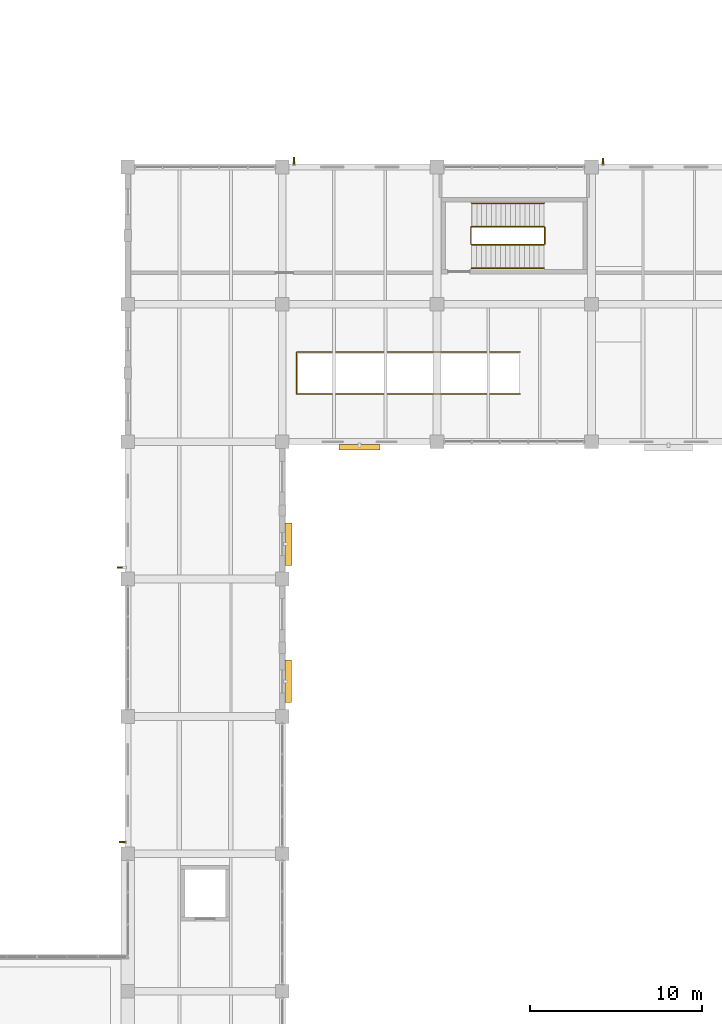
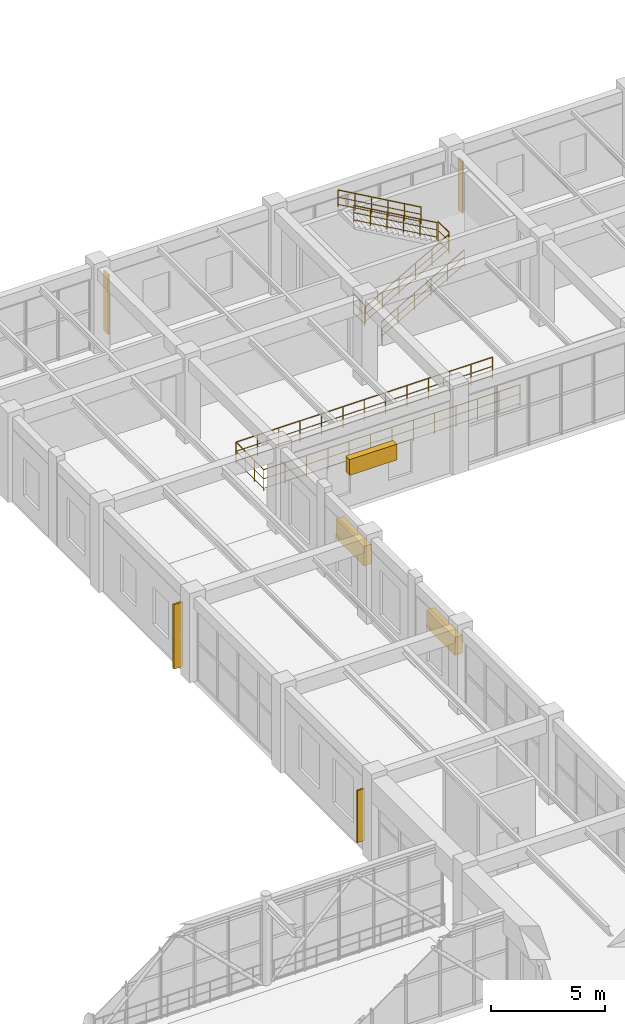
# One storey, part 174 of 178: 7 railings, 7 shading devices.
"""IFC4 building model written with IfcOpenShell, lengths in metres."""

from ifc_helpers import new_model, si_unit, derived_unit, direction, frame, origin, origin_2d, place, context, subcontext, project, spatial, rectangle, circle, extrude, material, type_object, element, save


model = new_model("IFC4")

# Units and contexts
model_context = context("Model", 3, precision=1e-05, world=origin(), true_north=direction((0.0, 1.0)))
body_context = subcontext(model_context, "Body", "Model", "MODEL_VIEW")
ifc_project = project(units=[si_unit("LENGTHUNIT", "METRE"), si_unit("AREAUNIT", "SQUARE_METRE"), si_unit("VOLUMEUNIT", "CUBIC_METRE"), si_unit("PLANEANGLEUNIT", "RADIAN"), si_unit("MASSUNIT", "GRAM", prefix="KILO"), derived_unit("THERMALTRANSMITTANCEUNIT", [(si_unit("MASSUNIT", "GRAM", prefix="KILO"), 1), (si_unit("TIMEUNIT", "SECOND"), -3), (si_unit("THERMODYNAMICTEMPERATUREUNIT", "KELVIN"), -1)])], contexts=[model_context])

# Site, building, storey
site_placement = place(None, origin())
site = spatial("IfcSite", under=ifc_project, at=site_placement, CompositionType="ELEMENT")
building_placement = place(site_placement, origin())
building = spatial("IfcBuilding", under=site, at=building_placement, Name="Zhenchuan Archway Interchange", CompositionType="ELEMENT")
storey_placement = place(building_placement, frame((0.0, 0.0, 5.39990234375)))
storey = spatial("IfcBuildingStorey", under=building, at=storey_placement, Name="L01", CompositionType="ELEMENT", Elevation=5.39990234375)

# Railings
ifc_material_1 = material(Name="Painted Galvanised Steel", Category="steel")
railing_type_1 = type_object("IfcRailingType", Name="RL_GUARD_1150", PredefinedType="GUARDRAIL", material=ifc_material_1)
for number, where, name in (
    (1, (123.284912109375, 99.514892578125, 2.400146484375), "Stair ST-O6 half-landing slot guard (L01)"),
    (2, (118.985107421875, 99.514892578125, 0.0), "Stair ST-O6 floor well guard (L01)"),
):
    element("IfcRailing", number, at=place(storey_placement, frame(where)), inside=storey, type_object=railing_type_1, Name=name, PredefinedType="GUARDRAIL", context=body_context, shape_type="SweptSolid", body=[
        extrude(circle(Radius=0.02392578125, at=origin_2d()), frame((0.0, 0.0, 1.1259765625), z_axis=(0.0, 1.0, 0.0), x_axis=(-1.0, 0.0, 0.0)), (0.0, 0.0, 1.0), 0.97021484375),
        extrude(circle(Radius=0.01611328125, at=origin_2d()), frame((0.0, 0.0, 0.63232421875), z_axis=(0.0, 1.0, 0.0), x_axis=(-1.0, 0.0, 0.0)), (0.0, 0.0, 1.0), 0.97021484375),
        extrude(circle(Radius=0.01611328125, at=origin_2d()), frame((0.0, 0.0, 0.1201171875), z_axis=(0.0, 1.0, 0.0), x_axis=(-1.0, 0.0, 0.0)), (0.0, 0.0, 1.0), 0.97021484375),
        extrude(circle(Radius=0.02099609375, at=origin_2d()), origin(), (0.0, 0.0, 1.0), 1.1259765625),
        extrude(circle(Radius=0.02099609375, at=origin_2d()), frame((0.0, 0.97021484375, 0.0)), (0.0, 0.0, 1.0), 1.1259765625),
    ])
railing_placement = place(storey_placement, frame((121.860107421875, 90.780029296875, 0.0)))
element("IfcRailing", 3, at=railing_placement, inside=storey, type_object=railing_type_1, Name="Stair ST-P6 void perimeter guard (L01)", PredefinedType="GUARDRAIL", context=body_context, shape_type="SweptSolid", body=[
    extrude(circle(Radius=0.02392578125, at=origin_2d()), frame((0.0, 0.0, 1.1259765625), z_axis=(-1.0, 0.0, 0.0), x_axis=(0.0, -1.0, 0.0)), (0.0, 0.0, 1.0), 13.0400390625),
    extrude(circle(Radius=0.01611328125, at=origin_2d()), frame((0.0, 0.0, 0.63232421875), z_axis=(-1.0, 0.0, 0.0), x_axis=(0.0, -1.0, 0.0)), (0.0, 0.0, 1.0), 13.0400390625),
    extrude(circle(Radius=0.01611328125, at=origin_2d()), frame((0.0, 0.0, 0.1201171875), z_axis=(-1.0, 0.0, 0.0), x_axis=(0.0, -1.0, 0.0)), (0.0, 0.0, 1.0), 13.0400390625),
    extrude(circle(Radius=0.02392578125, at=origin_2d()), frame((-13.0400390625, 0.0, 1.1259765625), z_axis=(0.0, 1.0, 0.0), x_axis=(-1.0, 0.0, 0.0)), (0.0, 0.0, 1.0), 2.43994140625),
    extrude(circle(Radius=0.01611328125, at=origin_2d()), frame((-13.0400390625, 0.0, 0.63232421875), z_axis=(0.0, 1.0, 0.0), x_axis=(-1.0, 0.0, 0.0)), (0.0, 0.0, 1.0), 2.43994140625),
    extrude(circle(Radius=0.01611328125, at=origin_2d()), frame((-13.0400390625, 0.0, 0.1201171875), z_axis=(0.0, 1.0, 0.0), x_axis=(-1.0, 0.0, 0.0)), (0.0, 0.0, 1.0), 2.43994140625),
    extrude(circle(Radius=0.02392578125, at=origin_2d()), frame((-13.0400390625, 2.43994140625, 1.1259765625), z_axis=(1.0, 0.0, 0.0), x_axis=(0.0, 1.0, 0.0)), (0.0, 0.0, 1.0), 13.0400390625),
    extrude(circle(Radius=0.01611328125, at=origin_2d()), frame((-13.0400390625, 2.43994140625, 0.63232421875), z_axis=(1.0, 0.0, 0.0), x_axis=(0.0, 1.0, 0.0)), (0.0, 0.0, 1.0), 13.0400390625),
    extrude(circle(Radius=0.01611328125, at=origin_2d()), frame((-13.0400390625, 2.43994140625, 0.1201171875), z_axis=(1.0, 0.0, 0.0), x_axis=(0.0, 1.0, 0.0)), (0.0, 0.0, 1.0), 13.0400390625),
    extrude(circle(Radius=0.02099609375, at=origin_2d()), origin(), (0.0, 0.0, 1.0), 1.1259765625),
    extrude(circle(Radius=0.02099609375, at=origin_2d()), frame((-1.086669921875, 0.0, 0.0)), (0.0, 0.0, 1.0), 1.1259765625),
    extrude(circle(Radius=0.02099609375, at=origin_2d()), frame((-2.17333984375, 0.0, 0.0)), (0.0, 0.0, 1.0), 1.1259765625),
    extrude(circle(Radius=0.02099609375, at=origin_2d()), frame((-3.260009765625, 0.0, 0.0)), (0.0, 0.0, 1.0), 1.1259765625),
    extrude(circle(Radius=0.02099609375, at=origin_2d()), frame((-4.3466796875, 0.0, 0.0)), (0.0, 0.0, 1.0), 1.1259765625),
    extrude(circle(Radius=0.02099609375, at=origin_2d()), frame((-5.433349609375, 0.0, 0.0)), (0.0, 0.0, 1.0), 1.1259765625),
    extrude(circle(Radius=0.02099609375, at=origin_2d()), frame((-6.52001953125, 0.0, 0.0)), (0.0, 0.0, 1.0), 1.1259765625),
    extrude(circle(Radius=0.02099609375, at=origin_2d()), frame((-7.606689453125, 0.0, 0.0)), (0.0, 0.0, 1.0), 1.1259765625),
    extrude(circle(Radius=0.02099609375, at=origin_2d()), frame((-8.693359375, 0.0, 0.0)), (0.0, 0.0, 1.0), 1.1259765625),
    extrude(circle(Radius=0.02099609375, at=origin_2d()), frame((-9.780029296875, 0.0, 0.0)), (0.0, 0.0, 1.0), 1.1259765625),
    extrude(circle(Radius=0.02099609375, at=origin_2d()), frame((-10.86669921875, 0.0, 0.0)), (0.0, 0.0, 1.0), 1.1259765625),
    extrude(circle(Radius=0.02099609375, at=origin_2d()), frame((-11.953369140625, 0.0, 0.0)), (0.0, 0.0, 1.0), 1.1259765625),
    extrude(circle(Radius=0.02099609375, at=origin_2d()), frame((-13.0400390625, 0.0, 0.0)), (0.0, 0.0, 1.0), 1.1259765625),
    extrude(circle(Radius=0.02099609375, at=origin_2d()), frame((-13.0400390625, 0.813232421875, 0.0)), (0.0, 0.0, 1.0), 1.1259765625),
    extrude(circle(Radius=0.02099609375, at=origin_2d()), frame((-13.0400390625, 1.626708984375, 0.0)), (0.0, 0.0, 1.0), 1.1259765625),
    extrude(circle(Radius=0.02099609375, at=origin_2d()), frame((-13.0400390625, 2.43994140625, 0.0)), (0.0, 0.0, 1.0), 1.1259765625),
    extrude(circle(Radius=0.02099609375, at=origin_2d()), frame((-11.953369140625, 2.43994140625, 0.0)), (0.0, 0.0, 1.0), 1.1259765625),
    extrude(circle(Radius=0.02099609375, at=origin_2d()), frame((-10.86669921875, 2.43994140625, 0.0)), (0.0, 0.0, 1.0), 1.1259765625),
    extrude(circle(Radius=0.02099609375, at=origin_2d()), frame((-9.780029296875, 2.43994140625, 0.0)), (0.0, 0.0, 1.0), 1.1259765625),
    extrude(circle(Radius=0.02099609375, at=origin_2d()), frame((-8.693359375, 2.43994140625, 0.0)), (0.0, 0.0, 1.0), 1.1259765625),
    extrude(circle(Radius=0.02099609375, at=origin_2d()), frame((-7.606689453125, 2.43994140625, 0.0)), (0.0, 0.0, 1.0), 1.1259765625),
    extrude(circle(Radius=0.02099609375, at=origin_2d()), frame((-6.52001953125, 2.43994140625, 0.0)), (0.0, 0.0, 1.0), 1.1259765625),
    extrude(circle(Radius=0.02099609375, at=origin_2d()), frame((-5.433349609375, 2.43994140625, 0.0)), (0.0, 0.0, 1.0), 1.1259765625),
    extrude(circle(Radius=0.02099609375, at=origin_2d()), frame((-4.3466796875, 2.43994140625, 0.0)), (0.0, 0.0, 1.0), 1.1259765625),
    extrude(circle(Radius=0.02099609375, at=origin_2d()), frame((-3.260009765625, 2.43994140625, 0.0)), (0.0, 0.0, 1.0), 1.1259765625),
    extrude(circle(Radius=0.02099609375, at=origin_2d()), frame((-2.17333984375, 2.43994140625, 0.0)), (0.0, 0.0, 1.0), 1.1259765625),
    extrude(circle(Radius=0.02099609375, at=origin_2d()), frame((-1.086669921875, 2.43994140625, 0.0)), (0.0, 0.0, 1.0), 1.1259765625),
    extrude(circle(Radius=0.02099609375, at=origin_2d()), frame((0.0, 2.43994140625, 0.0)), (0.0, 0.0, 1.0), 1.1259765625),
])
ifc_material_2 = material(Name="Stainless Steel 304", Category="steel")
railing_type_2 = type_object("IfcRailingType", Name="RL_HAND_920", PredefinedType="HANDRAIL", material=ifc_material_2)
for number, where, name in (
    (4, (119.02490234375, 98.10498046875, 0.150146484375), "Stair ST-O6 handrail 1 (L01)"),
    (5, (119.02490234375, 99.47509765625, 0.150146484375), "Stair ST-O6 handrail 2 (L01)"),
):
    element("IfcRailing", number, at=place(storey_placement, frame(where)), inside=storey, type_object=railing_type_2, Name=name, PredefinedType="HANDRAIL", context=body_context, shape_type="SweptSolid", body=[
        extrude(circle(Radius=0.02392578125, at=origin_2d()), frame((0.0, 0.0, 0.89599609375), z_axis=(0.86927486562, 0.0, 0.494329048308), x_axis=(0.0, 1.0, 0.0)), (0.0, 0.0, 1.0), 4.85498046875),
        extrude(circle(Radius=0.01611328125, at=origin_2d()), frame((0.0, 0.0, 0.505859375), z_axis=(0.86927486562, 0.0, 0.494329048308), x_axis=(0.0, 1.0, 0.0)), (0.0, 0.0, 1.0), 4.85498046875),
        extrude(circle(Radius=0.01611328125, at=origin_2d()), frame((0.0, 0.0, 0.1201171875), z_axis=(0.86927486562, 0.0, 0.494329048308), x_axis=(0.0, 1.0, 0.0)), (0.0, 0.0, 1.0), 4.85498046875),
        extrude(circle(Radius=0.02099609375, at=origin_2d()), origin(), (0.0, 0.0, 1.0), 0.89599609375),
        extrude(circle(Radius=0.02099609375, at=origin_2d()), frame((0.843994140625, 0.0, 0.47998046875)), (0.0, 0.0, 1.0), 0.89599609375),
        extrude(circle(Radius=0.02099609375, at=origin_2d()), frame((1.68798828125, 0.0, 0.9599609375)), (0.0, 0.0, 1.0), 0.89599609375),
        extrude(circle(Radius=0.02099609375, at=origin_2d()), frame((2.5322265625, 0.0, 1.43994140625)), (0.0, 0.0, 1.0), 0.89599609375),
        extrude(circle(Radius=0.02099609375, at=origin_2d()), frame((3.376220703125, 0.0, 1.919921875)), (0.0, 0.0, 1.0), 0.89599609375),
        extrude(circle(Radius=0.02099609375, at=origin_2d()), frame((4.22021484375, 0.0, 2.39990234375)), (0.0, 0.0, 1.0), 0.89599609375),
    ])
for number, where, name in (
    (6, (123.2451171875, 100.52490234375, 2.550048828125), "Stair ST-O6 handrail 3 (L01)"),
    (7, (123.2451171875, 101.89501953125, 2.550048828125), "Stair ST-O6 handrail 4 (L01)"),
):
    element("IfcRailing", number, at=place(storey_placement, frame(where)), inside=storey, type_object=railing_type_2, Name=name, PredefinedType="HANDRAIL", context=body_context, shape_type="SweptSolid", body=[
        extrude(circle(Radius=0.02392578125, at=origin_2d()), frame((0.0, 0.0, 0.89599609375), z_axis=(-0.869253256267, 0.0, 0.494367046301), x_axis=(0.0, -1.0, 0.0)), (0.0, 0.0, 1.0), 4.85498046875),
        extrude(circle(Radius=0.01611328125, at=origin_2d()), frame((0.0, 0.0, 0.505859375), z_axis=(-0.869253256267, 0.0, 0.494367046301), x_axis=(0.0, -1.0, 0.0)), (0.0, 0.0, 1.0), 4.85498046875),
        extrude(circle(Radius=0.01611328125, at=origin_2d()), frame((0.0, 0.0, 0.1201171875), z_axis=(-0.869253256267, 0.0, 0.494367046301), x_axis=(0.0, -1.0, 0.0)), (0.0, 0.0, 1.0), 4.85498046875),
        extrude(circle(Radius=0.02099609375, at=origin_2d()), origin(), (0.0, 0.0, 1.0), 0.89599609375),
        extrude(circle(Radius=0.02099609375, at=origin_2d()), frame((-0.843994140625, 0.0, 0.47998046875)), (0.0, 0.0, 1.0), 0.89599609375),
        extrude(circle(Radius=0.02099609375, at=origin_2d()), frame((-1.68798828125, 0.0, 0.9599609375)), (0.0, 0.0, 1.0), 0.89599609375),
        extrude(circle(Radius=0.02099609375, at=origin_2d()), frame((-2.5322265625, 0.0, 1.440185546875)), (0.0, 0.0, 1.0), 0.89599609375),
        extrude(circle(Radius=0.02099609375, at=origin_2d()), frame((-3.376220703125, 0.0, 1.920166015625)), (0.0, 0.0, 1.0), 0.89599609375),
        extrude(circle(Radius=0.02099609375, at=origin_2d()), frame((-4.22021484375, 0.0, 2.400146484375)), (0.0, 0.0, 1.0), 0.89599609375),
    ])

# Shading devices
ifc_material_3 = material(Name="Terracotta Ceramic", Category="masonry")
shading_device_type_1 = type_object("IfcShadingDeviceType", Name="SHD_FIN_1", PredefinedType="USERDEFINED", material=ifc_material_3)
shading_device_1_placement = place(storey_placement, frame((108.677978515625, 104.364013671875, 0.330078125), z_axis=(0.0, 0.0, 1.0), x_axis=(1.0, 0.0, 0.0)))
element("IfcShadingDevice", 8, at=shading_device_1_placement, inside=storey, type_object=shading_device_type_1, Name="Terracotta vertical solar fin L01-036", ObjectType="FINS", PredefinedType="USERDEFINED", context=body_context, shape_type="SweptSolid", body=[
    extrude(rectangle(XDim=0.090087890625, YDim=0.419921875, at=origin_2d()), origin(), (0.0, 0.0, 1.0), 3.199951171875),
])
shading_device_type_2 = type_object("IfcShadingDeviceType", Name="SHD_FIN_2", PredefinedType="USERDEFINED", material=ifc_material_3)
for number, where, z_axis, x_axis, name in (
    (9, (98.666015625, 64.677978515625, 0.5302734375), (0.0, 0.0, 1.0), (0.0, 1.0, 0.0), "Terracotta vertical solar fin L01-034"),
    (10, (126.677978515625, 104.333984375, 0.5302734375), (0.0, 0.0, 1.0), (1.0, 0.0, 0.0), "Terracotta vertical solar fin L01-037"),
):
    element("IfcShadingDevice", number, at=place(storey_placement, frame(where, z_axis=z_axis, x_axis=x_axis)), inside=storey, type_object=shading_device_type_2, Name=name, ObjectType="FINS", PredefinedType="USERDEFINED", context=body_context, shape_type="SweptSolid", body=[
        extrude(rectangle(XDim=0.080078125, YDim=0.360107421875, at=origin_2d()), origin(), (0.0, 0.0, 1.0), 2.800048828125),
    ])
shading_device_type_3 = type_object("IfcShadingDeviceType", Name="SHD_FIN_3", PredefinedType="USERDEFINED", material=ifc_material_3)
shading_device_2_placement = place(storey_placement, frame((98.615966796875, 80.677978515625, 0.2001953125), z_axis=(0.0, 0.0, 1.0), x_axis=(0.0, 1.0, 0.0)))
element("IfcShadingDevice", 11, at=shading_device_2_placement, inside=storey, type_object=shading_device_type_3, Name="Terracotta vertical solar fin L01-035", ObjectType="FINS", PredefinedType="USERDEFINED", context=body_context, shape_type="SweptSolid", body=[
    extrude(rectangle(XDim=0.10009765625, YDim=0.4599609375, at=origin_2d()), origin(), (0.0, 0.0, 1.0), 3.4599609375),
])
ifc_material_4 = material(Name="Anodised Aluminium", Category="aluminium")
shading_device_type_4 = type_object("IfcShadingDeviceType", Name="SHD_LOUVRE_1", PredefinedType="JALOUSIE", material=ifc_material_4)
shading_device_3_placement = place(storey_placement, frame((108.343994140625, 74.03759765625, 2.27490234375), z_axis=(0.0, 0.0, 1.0), x_axis=(0.0, -1.0, 0.0)))
element("IfcShadingDevice", 12, at=shading_device_3_placement, inside=storey, type_object=shading_device_type_4, Name="Monsoon storm-louvre jalousie L01-063", PredefinedType="JALOUSIE", context=body_context, shape_type="SweptSolid", body=[
    extrude(rectangle(XDim=2.47900390625, YDim=0.3798828125, at=origin_2d()), origin(), (0.0, 0.0, 1.0), 0.949951171875),
])
shading_device_type_5 = type_object("IfcShadingDeviceType", Name="SHD_LOUVRE_2", PredefinedType="JALOUSIE", material=ifc_material_4)
shading_device_4_placement = place(storey_placement, frame((112.5, 87.676025390625, 1.925048828125), z_axis=(0.0, 0.0, 1.0), x_axis=(-1.0, 0.0, 0.0)))
element("IfcShadingDevice", 13, at=shading_device_4_placement, inside=storey, type_object=shading_device_type_5, Name="Monsoon storm-louvre jalousie L01-061", PredefinedType="JALOUSIE", context=body_context, shape_type="SweptSolid", body=[
    extrude(rectangle(XDim=2.39990234375, YDim=0.340087890625, at=origin_2d()), origin(), (0.0, 0.0, 1.0), 0.85009765625),
])
shading_device_type_6 = type_object("IfcShadingDeviceType", Name="SHD_LOUVRE_3", PredefinedType="JALOUSIE", material=ifc_material_4)
shading_device_5_placement = place(storey_placement, frame((108.35400390625, 82.03759765625, 2.22509765625), z_axis=(0.0, 0.0, 1.0), x_axis=(0.0, -1.0, 0.0)))
element("IfcShadingDevice", 14, at=shading_device_5_placement, inside=storey, type_object=shading_device_type_6, Name="Monsoon storm-louvre jalousie L01-062", PredefinedType="JALOUSIE", context=body_context, shape_type="SweptSolid", body=[
    extrude(rectangle(XDim=2.47900390625, YDim=0.39990234375, at=origin_2d()), origin(), (0.0, 0.0, 1.0), 1.050048828125),
])

save(model, "model.ifc")
